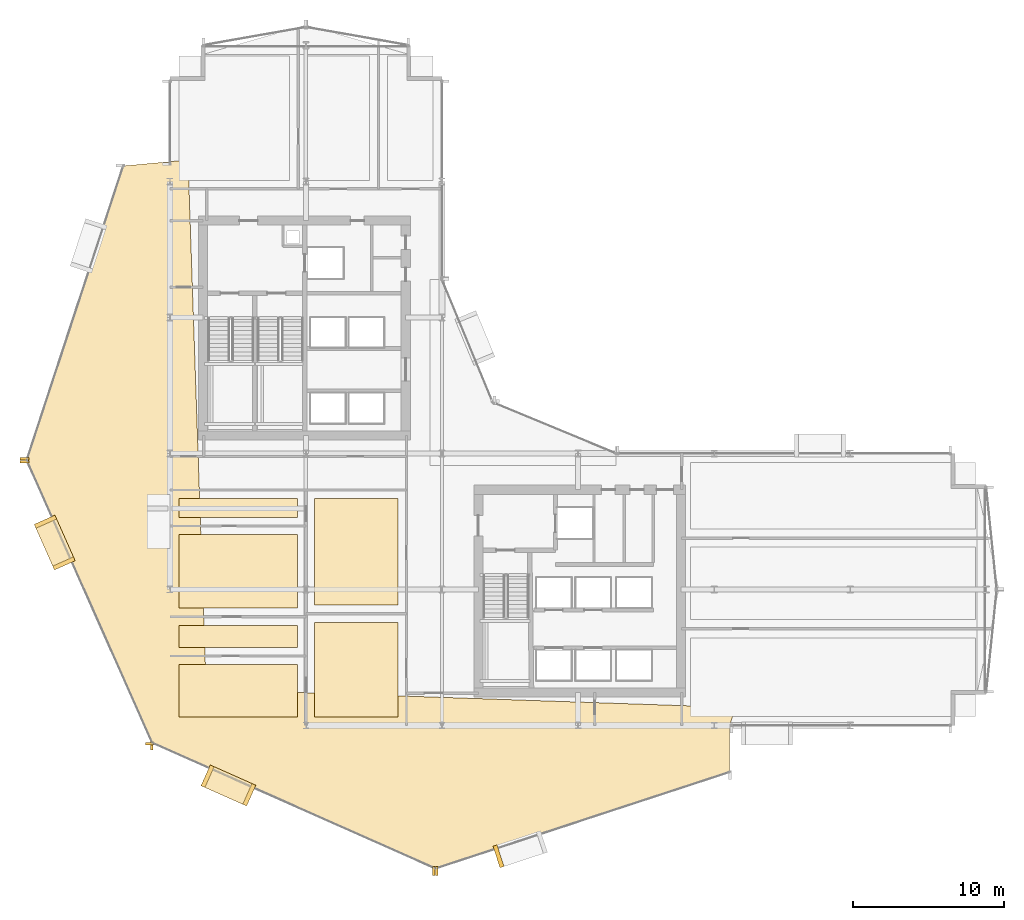
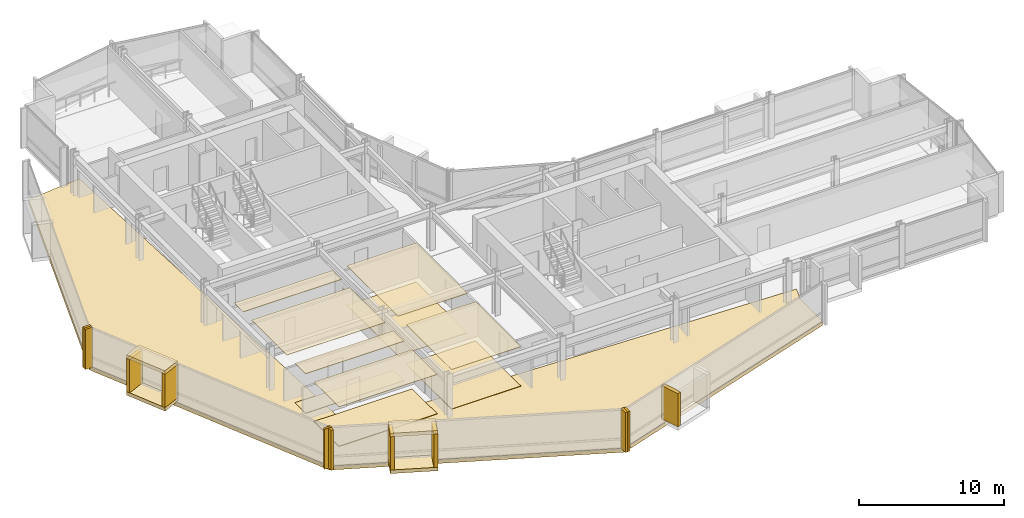
# One storey, part 30 of 34: 26 coverings.
"""IFC4 building model written with IfcOpenShell, lengths in metres."""

import ifcopenshell
import ifcopenshell.guid

model = None  # the IFC model being written
_history = None  # IfcOwnerHistory: only IFC2X3 demands one
_inside = {}  # id of a spatial element -> (the spatial element, [elements in it])
_under = {}  # id of a project, library or spatial element -> (it, [spatial elements below it])
_declared = {}  # id of a project -> (the project, [libraries it declares])
_typed = {}  # id of a type object -> (the type object, [elements of that type])
_made_of = {}  # id of a material, layer set ... -> (it, [elements and type objects made of it])


def new_model(schema):
    """Start an empty IFC model of exactly this schema.

    Asked for "IFC4X3", IfcOpenShell would pick the latest addendum, in which some entities
    have other attributes; the version numbers below select the first issue.
    IFC2X3 requires an IfcOwnerHistory on every rooted entity: one is made here for all.
    """
    global model, _history
    if schema == "IFC4X3":
        model = ifcopenshell.file(schema_version=(4, 3, 0, 0))
    else:
        model = ifcopenshell.file(schema=schema)
    _inside.clear()
    _under.clear()
    _declared.clear()
    _typed.clear()
    _made_of.clear()
    _history = None
    if model.schema == "IFC2X3":
        org = make("IfcOrganization", Name="unknown")
        user = make(
            "IfcPersonAndOrganization",
            ThePerson=make("IfcPerson", FamilyName="unknown"),
            TheOrganization=org,
        )
        app = make(
            "IfcApplication",
            ApplicationDeveloper=org,
            Version="unknown",
            ApplicationFullName="unknown",
            ApplicationIdentifier="unknown",
        )
        _history = make(
            "IfcOwnerHistory",
            OwningUser=user,
            OwningApplication=app,
            ChangeAction="ADDED",
            CreationDate=0,
        )
    return model


def make(cls, **values):
    """One entity of the class cls with the attributes given. An attribute that is None is left unset."""
    return model.create_entity(
        cls, **{name: value for name, value in values.items() if value is not None}
    )


def rooted(cls, **values):
    """An entity with a GlobalId (a new one), such as an element, a storey or a relation."""
    return make(cls, GlobalId=ifcopenshell.guid.new(), OwnerHistory=_history, **values)


def si_unit(unit_type, name, prefix=None):
    """IfcSIUnit, for example si_unit("LENGTHUNIT", "METRE", prefix="MILLI")."""
    return make("IfcSIUnit", UnitType=unit_type, Prefix=prefix, Name=name)


def assignment(units):
    """IfcUnitAssignment: the units of a project."""
    return None if units is None else make("IfcUnitAssignment", Units=units)


def point(xyz):
    """IfcCartesianPoint."""
    return None if xyz is None else make("IfcCartesianPoint", Coordinates=xyz)


def direction(xyz):
    """IfcDirection."""
    return None if xyz is None else make("IfcDirection", DirectionRatios=xyz)


def frame(location, z_axis=None, x_axis=None):
    """IfcAxis2Placement3D, a coordinate frame: its origin and axes. An axis left out is left unset."""
    return make(
        "IfcAxis2Placement3D",
        Location=point(location),
        Axis=direction(z_axis),
        RefDirection=direction(x_axis),
    )


def frame_2d(location, x_axis=None):
    """IfcAxis2Placement2D, a coordinate frame in the plane: its origin and x axis."""
    return make(
        "IfcAxis2Placement2D", Location=point(location), RefDirection=direction(x_axis)
    )


def origin():
    """The frame at (0, 0, 0) with its axes left unset."""
    return frame((0.0, 0.0, 0.0))


def origin_2d():
    """The frame at (0, 0) in the plane with its x axis left unset."""
    return frame_2d((0.0, 0.0))


def place(relative_to, where):
    """IfcLocalPlacement: puts the frame where relative to a parent placement (None: the world)."""
    return make(
        "IfcLocalPlacement", PlacementRelTo=relative_to, RelativePlacement=where
    )


def context(
    kind, dimensions, precision=None, world=None, true_north=None, identifier=None
):
    """IfcGeometricRepresentationContext, for example the 3D "Model" context."""
    return make(
        "IfcGeometricRepresentationContext",
        ContextIdentifier=identifier,
        ContextType=kind,
        CoordinateSpaceDimension=dimensions,
        Precision=precision,
        WorldCoordinateSystem=world,
        TrueNorth=true_north,
    )


def subcontext(parent, identifier, kind, view, scale=None):
    """IfcGeometricRepresentationSubContext, for example "Body" below "Model"."""
    return make(
        "IfcGeometricRepresentationSubContext",
        ContextIdentifier=identifier,
        ContextType=kind,
        ParentContext=parent,
        TargetScale=scale,
        TargetView=view,
    )


def project(units=None, contexts=None):
    """IfcProject with its units and contexts."""
    return rooted(
        "IfcProject",
        Name="project",
        RepresentationContexts=contexts,
        UnitsInContext=assignment(units),
    )


def spatial(cls, under=None, at=None, **own):
    """A site, building, storey or space (cls), placed at a placement, below another one or the project."""
    s = rooted(cls, ObjectPlacement=at, **own)
    if under is not None:
        _under.setdefault(under.id(), (under, []))[1].append(s)
    return s


def polyline(points):
    """IfcPolyline through the points."""
    return make("IfcPolyline", Points=[point(p) for p in points])


def profile(cls, at=None, kind="AREA", **sizes):
    """A parametric profile (cls). Its sizes go by their IFC names, for example OverallWidth=200.0."""
    return make(cls, ProfileType=kind, Position=at, **sizes)


def rectangle(**sizes):
    """IfcRectangleProfileDef."""
    return profile("IfcRectangleProfileDef", **sizes)


def outline(outer, holes=None, kind="AREA"):
    """IfcArbitraryClosedProfileDef: a profile drawn as a closed curve; with holes, ...WithVoids."""
    if holes is None:
        return make("IfcArbitraryClosedProfileDef", ProfileType=kind, OuterCurve=outer)
    return make(
        "IfcArbitraryProfileDefWithVoids",
        ProfileType=kind,
        OuterCurve=outer,
        InnerCurves=holes,
    )


def extrude(swept, where, along, depth):
    """IfcExtrudedAreaSolid: the profile swept, set in the frame where, extruded along a direction by depth."""
    return make(
        "IfcExtrudedAreaSolid",
        SweptArea=swept,
        Position=where,
        ExtrudedDirection=direction(along),
        Depth=depth,
    )


def shape(context_of_items, identifier, shape_type, items):
    """IfcShapeRepresentation: the items that make up one representation, for example the "Body"."""
    return make(
        "IfcShapeRepresentation",
        ContextOfItems=context_of_items,
        RepresentationIdentifier=identifier,
        RepresentationType=shape_type,
        Items=items,
    )


def material(Name=None, Category=None):
    """IfcMaterial."""
    return make("IfcMaterial", Name=Name, Category=Category)


def layer(
    of_material, thickness, ventilated=None, Name=None, Category=None, Priority=None
):
    """IfcMaterialLayer: one layer of a wall or slab, of a material (None: an air gap)."""
    return make(
        "IfcMaterialLayer",
        Material=of_material,
        LayerThickness=thickness,
        IsVentilated=ventilated,
        Name=Name,
        Category=Category,
        Priority=Priority,
    )


def layer_set(layers, Name=None):
    """IfcMaterialLayerSet."""
    return make("IfcMaterialLayerSet", MaterialLayers=layers, LayerSetName=Name)


def made_of(thing, what):
    """Note that an element or type object is made of a material, layer set ...; save() writes the relation."""
    if what is not None:
        _made_of.setdefault(what.id(), (what, []))[1].append(thing)
    return thing


def type_object(cls, material=None, **own):
    """A type object (cls), such as IfcWallType, which elements share."""
    return made_of(rooted(cls, **own), material)


def element(
    cls,
    number,
    at=None,
    inside=None,
    cuts=None,
    type_object=None,
    material=None,
    context=None,
    identifier="Body",
    shape_type=None,
    held_by="IfcProductDefinitionShape",
    body=None,
    shapes=None,
    **own,
):
    """One element of the class cls, such as IfcWall. Its Tag is "e" and its number.

    at: its placement. inside: the storey or other place that contains it. cuts: it is an
    opening in that element (IfcRelVoidsElement). A single representation is given by context,
    identifier, shape_type and body (its items); several are given by shapes. held_by: the class
    of the entity that holds the representations. save() writes the other relations.
    """
    e = rooted(cls, Tag="e%d" % number, ObjectPlacement=at, **own)
    if body is not None:
        shapes = [shape(context, identifier, shape_type, body)]
    if shapes is not None:
        e.Representation = make(held_by, Representations=shapes)
    if inside is not None:
        _inside.setdefault(inside.id(), (inside, []))[1].append(e)
    if cuts is not None:
        rooted(
            "IfcRelVoidsElement", RelatingBuildingElement=cuts, RelatedOpeningElement=e
        )
    if type_object is not None:
        _typed.setdefault(type_object.id(), (type_object, []))[1].append(e)
    return made_of(e, material)


def aggregate(whole, parts):
    """IfcRelAggregates: a whole, such as a stair, and the parts it consists of."""
    return rooted("IfcRelAggregates", RelatingObject=whole, RelatedObjects=parts)


def save(model, path):
    """Write the relations noted so far, then the file.

    IfcRelAggregates (storeys below a building ...), IfcRelContainedInSpatialStructure (elements
    in a storey), IfcRelDefinesByType, IfcRelAssociatesMaterial and IfcRelDeclares: one each for
    every whole, place, type object, material and project.
    """
    for whole, parts in _under.values():
        aggregate(whole, parts)
    for where, things in _inside.values():
        rooted(
            "IfcRelContainedInSpatialStructure",
            RelatedElements=things,
            RelatingStructure=where,
        )
    for kind, things in _typed.values():
        rooted("IfcRelDefinesByType", RelatedObjects=things, RelatingType=kind)
    for what, things in _made_of.values():
        rooted("IfcRelAssociatesMaterial", RelatedObjects=things, RelatingMaterial=what)
    for by, libraries in _declared.values():
        rooted("IfcRelDeclares", RelatingContext=by, RelatedDefinitions=libraries)
    model.write(path)


model = new_model("IFC4")

# Units and contexts
model_context = context("Model", 3, precision=1e-05, world=origin(), true_north=direction((0.0, 1.0)))
body_context = subcontext(model_context, "Body", "Model", "MODEL_VIEW")
ifc_project = project(units=[si_unit("LENGTHUNIT", "METRE"), si_unit("AREAUNIT", "SQUARE_METRE"), si_unit("VOLUMEUNIT", "CUBIC_METRE"), si_unit("PLANEANGLEUNIT", "RADIAN"), si_unit("MASSUNIT", "GRAM", prefix="KILO")], contexts=[model_context])

# Site, building, storey
site_placement = place(None, origin())
site = spatial("IfcSite", under=ifc_project, at=site_placement, CompositionType="ELEMENT")
building_placement = place(site_placement, origin())
building = spatial("IfcBuilding", under=site, at=building_placement, Name="Solvaryn Broadcast Tower", CompositionType="ELEMENT")
storey_placement = place(building_placement, frame((0.0, 0.0, 96.5)))
storey = spatial("IfcBuildingStorey", under=building, at=storey_placement, Name="L23", CompositionType="ELEMENT", Elevation=96.5)

# Coverings
ifc_material_1 = material(Name="Micro-Perforated Acoustic Gypsum Ceiling", Category="concrete")
ifc_layer_1 = layer(ifc_material_1, 0.0400390625)
ifc_layer_set_1 = layer_set([ifc_layer_1], Name="CV-CEIL-ACOUSTIC")
covering_type_1 = type_object("IfcCoveringType", Name="CV-CEIL-ACOUSTIC", PredefinedType="CEILING", material=ifc_layer_set_1)
covering_1_placement = place(storey_placement, frame((0.0, 0.0, 3.330078125)))
element("IfcCovering", 1, at=covering_1_placement, inside=storey, type_object=covering_type_1, Name="L23 Room Acoustic Ceiling 1", PredefinedType="CEILING", context=body_context, shape_type="SweptSolid", body=[
    extrude(outline(polyline([(18.570068359375, 9.570068359375), (24.10009765625, 9.570068359375), (24.10009765625, 15.830078125), (18.570068359375, 15.830078125), (18.570068359375, 9.570068359375)])), origin(), (0.0, 0.0, 1.0), 0.0400390625),
])
covering_2_placement = place(storey_placement, frame((0.0, 0.0, 3.330078125)))
element("IfcCovering", 2, at=covering_2_placement, inside=storey, type_object=covering_type_1, Name="L23 Room Acoustic Ceiling 2", PredefinedType="CEILING", context=body_context, shape_type="SweptSolid", body=[
    extrude(outline(polyline([(18.570068359375, 16.969970703125), (24.10009765625, 16.969970703125), (24.10009765625, 24.010009765625), (18.570068359375, 24.010009765625), (18.570068359375, 16.969970703125)])), origin(), (0.0, 0.0, 1.0), 0.0400390625),
])
covering_3_placement = place(storey_placement, frame((0.0, 0.0, 3.330078125)))
element("IfcCovering", 3, at=covering_3_placement, inside=storey, type_object=covering_type_1, Name="L23 Room Acoustic Ceiling 3", PredefinedType="CEILING", context=body_context, shape_type="SweptSolid", body=[
    extrude(outline(polyline([(9.60009765625, 9.570068359375), (17.429931640625, 9.570068359375), (17.429931640625, 13.030029296875), (9.60009765625, 13.030029296875), (9.60009765625, 9.570068359375)])), origin(), (0.0, 0.0, 1.0), 0.0400390625),
])
covering_4_placement = place(storey_placement, frame((0.0, 0.0, 3.330078125)))
element("IfcCovering", 4, at=covering_4_placement, inside=storey, type_object=covering_type_1, Name="L23 Room Acoustic Ceiling 4", PredefinedType="CEILING", context=body_context, shape_type="SweptSolid", body=[
    extrude(outline(polyline([(9.60009765625, 14.169921875), (17.429931640625, 14.169921875), (17.429931640625, 15.6298828125), (9.60009765625, 15.6298828125), (9.60009765625, 14.169921875)])), origin(), (0.0, 0.0, 1.0), 0.0400390625),
])
covering_5_placement = place(storey_placement, frame((0.0, 0.0, 3.330078125)))
element("IfcCovering", 5, at=covering_5_placement, inside=storey, type_object=covering_type_1, Name="L23 Room Acoustic Ceiling 5", PredefinedType="CEILING", context=body_context, shape_type="SweptSolid", body=[
    extrude(outline(polyline([(9.60009765625, 16.77001953125), (17.429931640625, 16.77001953125), (17.429931640625, 21.6298828125), (9.60009765625, 21.6298828125), (9.60009765625, 16.77001953125)])), origin(), (0.0, 0.0, 1.0), 0.0400390625),
])
covering_6_placement = place(storey_placement, frame((0.0, 0.0, 3.330078125)))
element("IfcCovering", 6, at=covering_6_placement, inside=storey, type_object=covering_type_1, Name="L23 Room Acoustic Ceiling 6", PredefinedType="CEILING", context=body_context, shape_type="SweptSolid", body=[
    extrude(outline(polyline([(9.60009765625, 22.77001953125), (17.429931640625, 22.77001953125), (17.429931640625, 24.010009765625), (9.60009765625, 24.010009765625), (9.60009765625, 22.77001953125)])), origin(), (0.0, 0.0, 1.0), 0.0400390625),
])
ifc_material_2 = material(Name="Newsroom Raised Data Access Flooring", Category="steel")
ifc_layer_2 = layer(ifc_material_2, 0.050048828125)
ifc_layer_set_2 = layer_set([ifc_layer_2], Name="CV-FLOOR-RAISED")
covering_type_2 = type_object("IfcCoveringType", Name="CV-FLOOR-RAISED", PredefinedType="FLOORING", material=ifc_layer_set_2)
covering_7_placement = place(storey_placement, origin())
element("IfcCovering", 7, at=covering_7_placement, inside=storey, type_object=covering_type_2, Name="L23 Room Acoustic Floor Finish 1", PredefinedType="FLOORING", context=body_context, shape_type="SweptSolid", body=[
    extrude(outline(polyline([(18.570068359375, 9.570068359375), (24.10009765625, 9.570068359375), (24.10009765625, 15.830078125), (18.570068359375, 15.830078125), (18.570068359375, 9.570068359375)])), origin(), (0.0, 0.0, 1.0), 0.050048828125),
])
covering_8_placement = place(storey_placement, origin())
element("IfcCovering", 8, at=covering_8_placement, inside=storey, type_object=covering_type_2, Name="L23 Room Acoustic Floor Finish 2", PredefinedType="FLOORING", context=body_context, shape_type="SweptSolid", body=[
    extrude(outline(polyline([(18.570068359375, 16.969970703125), (24.10009765625, 16.969970703125), (24.10009765625, 24.010009765625), (18.570068359375, 24.010009765625), (18.570068359375, 16.969970703125)])), origin(), (0.0, 0.0, 1.0), 0.050048828125),
])
covering_9_placement = place(storey_placement, origin())
element("IfcCovering", 9, at=covering_9_placement, inside=storey, type_object=covering_type_2, Name="L23 Room Acoustic Floor Finish 3", PredefinedType="FLOORING", context=body_context, shape_type="SweptSolid", body=[
    extrude(outline(polyline([(9.60009765625, 9.570068359375), (17.429931640625, 9.570068359375), (17.429931640625, 13.030029296875), (9.60009765625, 13.030029296875), (9.60009765625, 9.570068359375)])), origin(), (0.0, 0.0, 1.0), 0.050048828125),
])
covering_10_placement = place(storey_placement, origin())
element("IfcCovering", 10, at=covering_10_placement, inside=storey, type_object=covering_type_2, Name="L23 Room Acoustic Floor Finish 4", PredefinedType="FLOORING", context=body_context, shape_type="SweptSolid", body=[
    extrude(outline(polyline([(9.60009765625, 14.169921875), (17.429931640625, 14.169921875), (17.429931640625, 15.6298828125), (9.60009765625, 15.6298828125), (9.60009765625, 14.169921875)])), origin(), (0.0, 0.0, 1.0), 0.050048828125),
])
ifc_material_3 = material(Name="Glazed Architectural Terracotta Rainscreen Cladding", Category="masonry")
ifc_layer_3 = layer(ifc_material_3, 0.280029296875)
ifc_layer_set_3 = layer_set([ifc_layer_3], Name="CV-TC-CLAD")
covering_type_3 = type_object("IfcCoveringType", Name="CV-TC-CLAD", PredefinedType="CLADDING", material=ifc_layer_set_3)
for number, where, z_axis, x_axis, name in (
    (11, (1.37890625, 21.10498046875, 3.080078125), (0.0, 0.0, 1.0), (0.405939269498, -0.913900054426, 0.0), "L23 Projecting Stone Window Box Hood 2"),
    (12, (1.37890625, 21.10498046875, -0.01025390625), (0.0, 0.0, 1.0), (0.405939269498, -0.913900054426, 0.0), "L23 Projecting Stone Window Box Sill 2"),
):
    element("IfcCovering", number, at=place(storey_placement, frame(where, z_axis=z_axis, x_axis=x_axis)), inside=storey, type_object=covering_type_3, Name=name, PredefinedType="CLADDING", context=body_context, shape_type="SweptSolid", body=[
        extrude(rectangle(XDim=3.300048828125, YDim=1.5, at=origin_2d()), origin(), (0.0, 0.0, 1.0), 0.300048828125),
    ])
for number, where, z_axis, x_axis, name in (
    (13, (0.76611328125, 22.485107421875, 0.280029296875), (0.0, 0.0, 1.0), (0.405939269498, -0.913900054426, 0.0), "L23 Projecting Stone Window Box Cheek 2-1"),
    (14, (1.991943359375, 19.72509765625, 0.280029296875), (0.0, 0.0, 1.0), (0.405939269498, -0.913900054426, 0.0), "L23 Projecting Stone Window Box Cheek 2-2"),
):
    element("IfcCovering", number, at=place(storey_placement, frame(where, z_axis=z_axis, x_axis=x_axis)), inside=storey, type_object=covering_type_3, Name=name, PredefinedType="CLADDING", context=body_context, shape_type="SweptSolid", body=[
        extrude(rectangle(XDim=0.280029296875, YDim=1.5, at=origin_2d()), origin(), (0.0, 0.0, 1.0), 2.81005859375),
    ])
for number, where, z_axis, x_axis, name in (
    (15, (12.8720703125, 5.035888671875, 3.080078125), (0.0, 0.0, 1.0), (0.913900054426, -0.405939269498, 0.0), "L23 Projecting Stone Window Box Hood 3"),
    (16, (12.8720703125, 5.035888671875, -0.01025390625), (0.0, 0.0, 1.0), (0.913900054426, -0.405939269498, 0.0), "L23 Projecting Stone Window Box Sill 3"),
):
    element("IfcCovering", number, at=place(storey_placement, frame(where, z_axis=z_axis, x_axis=x_axis)), inside=storey, type_object=covering_type_3, Name=name, PredefinedType="CLADDING", context=body_context, shape_type="SweptSolid", body=[
        extrude(rectangle(XDim=3.300048828125, YDim=1.5, at=origin_2d()), origin(), (0.0, 0.0, 1.0), 0.300048828125),
    ])
for number, where, z_axis, x_axis, name in (
    (17, (11.491943359375, 5.64892578125, 0.280029296875), (0.0, 0.0, 1.0), (0.913900054426, -0.405939269498, 0.0), "L23 Projecting Stone Window Box Cheek 3-1"),
    (18, (14.251953125, 4.423095703125, 0.280029296875), (0.0, 0.0, 1.0), (0.913900054426, -0.405939269498, 0.0), "L23 Projecting Stone Window Box Cheek 3-2"),
    (19, (30.73828125, 0.348388671875, 0.280029296875), (0.0, 0.0, 1.0), (0.950189870912, 0.311671636848, 0.0), "L23 Projecting Stone Window Box Cheek 4-1"),
):
    element("IfcCovering", number, at=place(storey_placement, frame(where, z_axis=z_axis, x_axis=x_axis)), inside=storey, type_object=covering_type_3, Name=name, PredefinedType="CLADDING", context=body_context, shape_type="SweptSolid", body=[
        extrude(rectangle(XDim=0.280029296875, YDim=1.5, at=origin_2d()), origin(), (0.0, 0.0, 1.0), 2.81005859375),
    ])
ifc_material_4 = material(Name="Extruded Architectural Terracotta Fin", Category="masonry")
ifc_layer_4 = layer(ifc_material_4, 0.179931640625)
ifc_layer_set_4 = layer_set([ifc_layer_4], Name="CV-TC-FIN")
covering_type_4 = type_object("IfcCoveringType", Name="CV-TC-FIN", PredefinedType="USERDEFINED", material=ifc_layer_set_4)
for number, where, z_axis, x_axis, name in (
    (20, (-0.625732421875, 26.644775390625, 0.0), (0.0, 0.0, 1.0), (1.0, 0.0, 0.0), "L23 Terracotta Vertical Fin FIN-L23-DR1-M01"),
    (21, (-0.6162109375, 26.459716796875, 0.0), (0.0, 0.0, 1.0), (1.0, 0.0, 0.0), "L23 Terracotta Vertical Fin FIN-L23-DR2-M00"),
    (22, (7.670654296875, 7.8017578125, 0.0), (0.0, 0.0, 1.0), (1.0, 0.0, 0.0), "L23 Terracotta Vertical Fin FIN-L23-DR2-M01"),
):
    element("IfcCovering", number, at=place(storey_placement, frame(where, z_axis=z_axis, x_axis=x_axis)), inside=storey, type_object=covering_type_4, Name=name, ObjectType="FIN", PredefinedType="USERDEFINED", context=body_context, shape_type="SweptSolid", body=[
        extrude(rectangle(XDim=0.580078125, YDim=0.179931640625, at=origin_2d()), origin(), (0.0, 0.0, 1.0), 3.3701171875),
    ])
for number, where, z_axis, x_axis, name in (
    (23, (7.8017578125, 7.670654296875, 0.0), (0.0, 0.0, 1.0), (1.0, 0.0, 0.0), "L23 Terracotta Vertical Fin FIN-L23-DR3-M00"),
    (24, (26.459716796875, -0.6162109375, 0.0), (0.0, 0.0, 1.0), (1.0, 0.0, 0.0), "L23 Terracotta Vertical Fin FIN-L23-DR3-M01"),
    (25, (26.644775390625, -0.625732421875, 0.0), (0.0, 0.0, 1.0), (1.0, 0.0, 0.0), "L23 Terracotta Vertical Fin FIN-L23-DR4-M00"),
):
    element("IfcCovering", number, at=place(storey_placement, frame(where, z_axis=z_axis, x_axis=x_axis)), inside=storey, type_object=covering_type_4, Name=name, ObjectType="FIN", PredefinedType="USERDEFINED", context=body_context, shape_type="SweptSolid", body=[
        extrude(rectangle(XDim=0.179931640625, YDim=0.580078125, at=origin_2d()), origin(), (0.0, 0.0, 1.0), 3.3701171875),
    ])
ifc_material_5 = material(Name="Sculpted Architectural Terracotta Wave Fascia", Category="masonry")
ifc_layer_5 = layer(ifc_material_5, 0.340087890625)
ifc_layer_set_5 = layer_set([ifc_layer_5], Name="CV-WAVE-TRAY")
covering_type_5 = type_object("IfcCoveringType", Name="CV-WAVE-TRAY", PredefinedType="CLADDING", material=ifc_layer_set_5)
covering_11_placement = place(storey_placement, frame((0.0, 0.0, -0.300048828125)))
element("IfcCovering", 26, at=covering_11_placement, inside=storey, type_object=covering_type_5, Name="L23 Stepped Cylindrical Drum Floor Apron", PredefinedType="CLADDING", context=body_context, shape_type="SweptSolid", body=[
    extrude(outline(polyline([(10.199951171875, 46.416015625), (5.916015625, 46.01611328125), (-0.464111328125, 26.56005859375), (7.846923828125, 7.846923828125), (26.56005859375, -0.464111328125), (46.01611328125, 5.916015625), (46.01611328125, 9.0), (46.416015625, 10.199951171875), (11.39990234375, 11.39990234375), (10.199951171875, 46.416015625)])), origin(), (0.0, 0.0, 1.0), 0.330078125),
])

save(model, "model.ifc")
